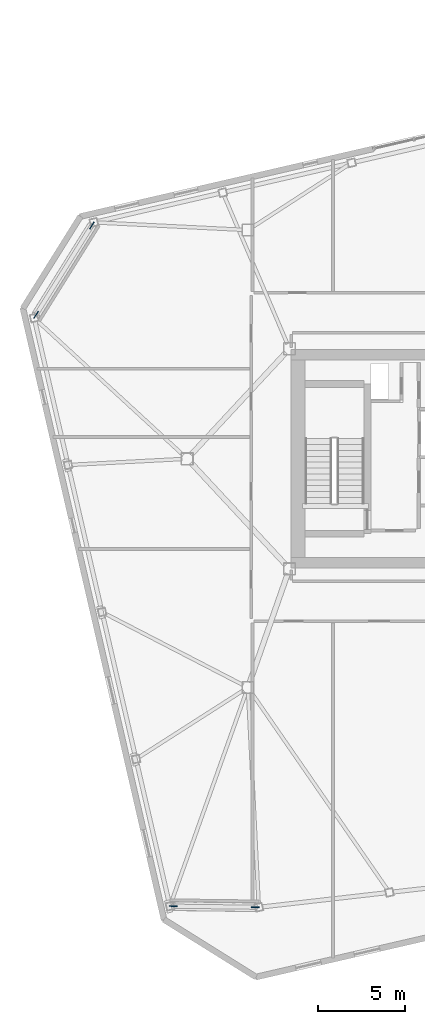
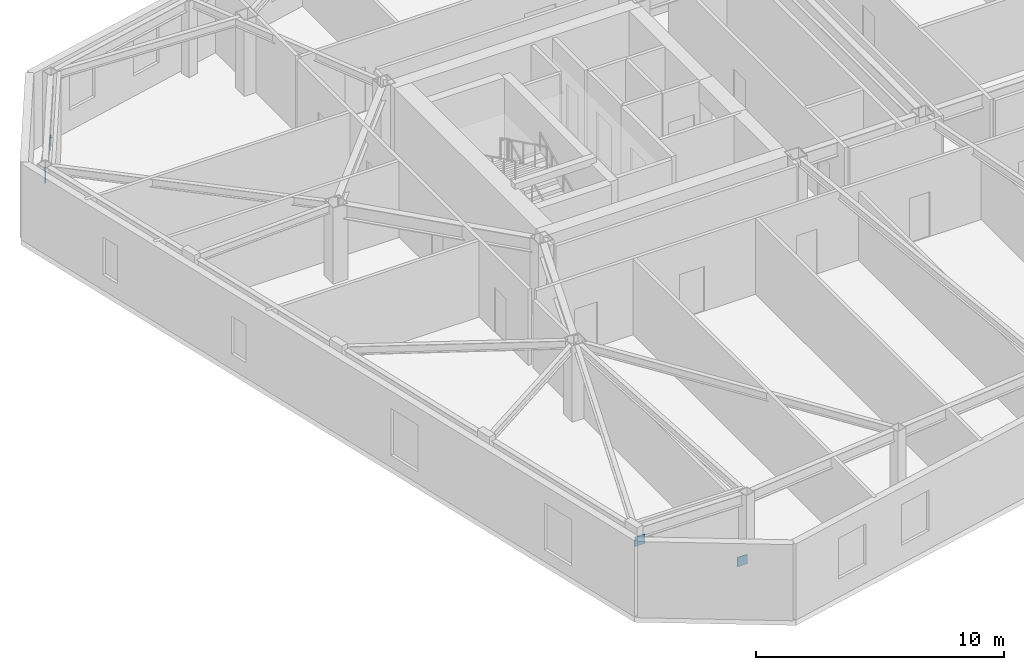
# One storey, part 22 of 24: 4 discrete accessories.
"""IFC4 building model written with IfcOpenShell, lengths in metres."""

from ifc_helpers import new_model, si_unit, direction, frame, origin, origin_2d, place, context, subcontext, project, spatial, rectangle, extrude, material, type_object, element, save


model = new_model("IFC4")

# Units and contexts
model_context = context("Model", 3, precision=1e-05, world=origin(), true_north=direction((0.0, 1.0)))
body_context = subcontext(model_context, "Body", "Model", "MODEL_VIEW")
ifc_project = project(units=[si_unit("LENGTHUNIT", "METRE"), si_unit("AREAUNIT", "SQUARE_METRE"), si_unit("VOLUMEUNIT", "CUBIC_METRE"), si_unit("PLANEANGLEUNIT", "RADIAN"), si_unit("MASSUNIT", "GRAM", prefix="KILO")], contexts=[model_context])

# Site, building, storey
site_placement = place(None, origin())
site = spatial("IfcSite", under=ifc_project, at=site_placement, CompositionType="ELEMENT")
building_placement = place(site_placement, origin())
building = spatial("IfcBuilding", under=site, at=building_placement, Name="Tavrogorsk Clinical Tower", CompositionType="ELEMENT")
storey_placement = place(building_placement, frame((0.0, 0.0, 309.0)))
storey = spatial("IfcBuildingStorey", under=building, at=storey_placement, Name="L72", CompositionType="ELEMENT", Elevation=309.0)

# Discrete accessories
ifc_material = material(Name="Structural steel S440", Category="steel")
discrete_accessory_type = type_object("IfcDiscreteAccessoryType", Name="GussetPlateBracket_25", PredefinedType="BRACKET", material=ifc_material)
for number, where, z_axis, x_axis, name in (
    (1, (-33.501708984375, 13.4638671875, 0.163330078125), (0.0, 0.0, 1.0), (-0.529919264233, -0.848048096156, 0.0), "L72 Brace Gusset Plate EXOCRN-L72-3-A"),
    (2, (-36.72265625, 8.30908203125, 2.81689453125), (0.0, 0.0, 1.0), (-0.529919264233, -0.848048096156, 0.0), "L72 Brace Gusset Plate EXOCRN-L72-3-B"),
    (3, (-24.07080078125, -25.883056640625, 0.182861328125), (0.0, 0.0, 1.0), (-0.999914327574, 0.013089595571, 0.0), "L72 Brace Gusset Plate EXOCRN-L72-4-A"),
    (4, (-28.794677734375, -25.821533203125, 2.797119140625), (0.0, 0.0, 1.0), (-0.999914327574, 0.013089595571, 0.0), "L72 Brace Gusset Plate EXOCRN-L72-4-B"),
):
    element("IfcDiscreteAccessory", number, at=place(storey_placement, frame(where, z_axis=z_axis, x_axis=x_axis)), inside=storey, type_object=discrete_accessory_type, Name=name, PredefinedType="BRACKET", context=body_context, shape_type="SweptSolid", body=[
        extrude(rectangle(XDim=0.4599609375, YDim=0.0400390625, at=origin_2d()), origin(), (0.0, 0.0, 1.0), 0.4599609375),
    ])

save(model, "model.ifc")
